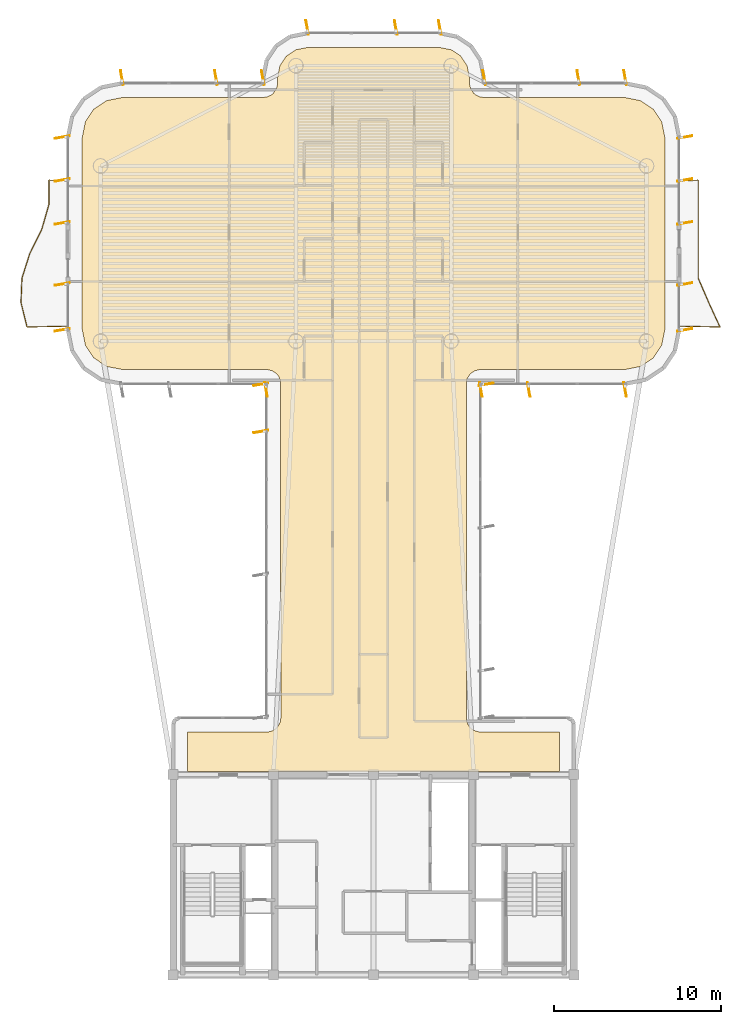
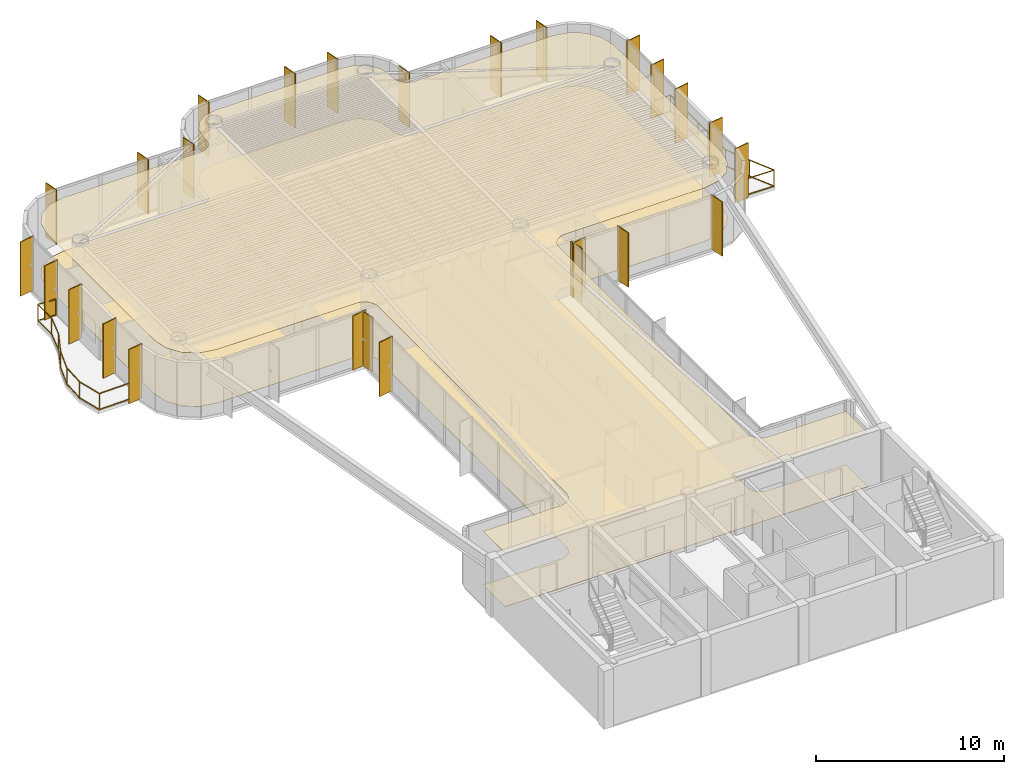
# One storey, part 16 of 16: 26 shading devices, 2 coverings, 2 railings.
"""IFC4 building model written with IfcOpenShell, lengths in metres."""

from ifc_helpers import new_model, si_unit, direction, frame, origin, origin_2d, place, context, subcontext, project, spatial, polyline, rectangle, outline, extrude, source, transform, mapped, material, layer, layer_set, material_profile, profile_set, type_object, element, save


model = new_model("IFC4")

# Units and contexts
model_context = context("Model", 3, precision=1e-05, world=origin(), true_north=direction((0.0, 1.0)))
body_context = subcontext(model_context, "Body", "Model", "MODEL_VIEW")
ifc_project = project(units=[si_unit("LENGTHUNIT", "METRE"), si_unit("AREAUNIT", "SQUARE_METRE"), si_unit("VOLUMEUNIT", "CUBIC_METRE"), si_unit("PLANEANGLEUNIT", "RADIAN"), si_unit("MASSUNIT", "GRAM", prefix="KILO")], contexts=[model_context])

# Site, building, storey
site_placement = place(None, origin())
site = spatial("IfcSite", under=ifc_project, at=site_placement, CompositionType="ELEMENT")
building_placement = place(site_placement, origin())
building = spatial("IfcBuilding", under=site, at=building_placement, Name="Brelvock Crest Care Tower", CompositionType="ELEMENT")
storey_placement = place(building_placement, frame((0.0, 0.0, 238.139892578125)))
storey = spatial("IfcBuildingStorey", under=building, at=storey_placement, Name="L60", CompositionType="ELEMENT", Elevation=238.139892578125)

# Coverings
ifc_material_1 = material(Name="Mineral Fibre Acoustic Ceiling Tile", Category="gypsum")
ifc_layer_1 = layer(ifc_material_1, 0.02490234375, Name="COV-CLG1")
ifc_layer_set_1 = layer_set([ifc_layer_1], Name="Mineral Fibre Acoustic Ceiling Tile")
covering_type_1 = type_object("IfcCoveringType", Name="COV-CLG1", PredefinedType="CEILING", material=ifc_layer_set_1)
covering_1_placement = place(storey_placement, frame((0.0, 0.0, 3.47509765625)))
element("IfcCovering", 1, at=covering_1_placement, inside=storey, type_object=covering_type_1, Name="L60 Acoustic Suspended Ceiling 1", PredefinedType="CEILING", context=body_context, shape_type="SweptSolid", body=[
    extrude(outline(polyline([(24.85009765625, 18.199951171875), (47.14990234375, 18.199951171875), (47.14990234375, 20.550048828125), (42.316650390625, 20.55419921875), (41.999267578125, 20.650390625), (41.799072265625, 20.799072265625), (41.650390625, 20.999267578125), (41.56640625, 21.234130859375), (41.55419921875, 41.4833984375), (41.61474609375, 41.725341796875), (41.799072265625, 42.0009765625), (42.07470703125, 42.185302734375), (42.316650390625, 42.245849609375), (51.016357421875, 42.25), (51.992919921875, 42.4443359375), (52.75, 42.9501953125), (53.255615234375, 43.70703125), (53.449951171875, 44.68359375), (53.449951171875, 56.1162109375), (53.255615234375, 57.093017578125), (52.75, 57.849853515625), (51.992919921875, 58.355712890625), (51.016357421875, 58.550048828125), (42.60009765625, 58.550048828125), (42.353271484375, 58.586669921875), (42.127685546875, 58.693359375), (41.9990234375, 58.799072265625), (41.814697265625, 59.07470703125), (41.754150390625, 59.316650390625), (41.75, 59.71630859375), (41.601318359375, 60.46337890625), (41.2255859375, 61.025634765625), (40.663330078125, 61.4013671875), (39.916259765625, 61.550048828125), (32.083740234375, 61.550048828125), (31.336669921875, 61.4013671875), (30.7744140625, 61.025634765625), (30.398681640625, 60.46337890625), (30.25, 59.71630859375), (30.245849609375, 59.316650390625), (30.185302734375, 59.07470703125), (30.0009765625, 58.799072265625), (29.872314453125, 58.693359375), (29.646728515625, 58.586669921875), (29.39990234375, 58.550048828125), (20.983642578125, 58.550048828125), (20.007080078125, 58.355712890625), (19.25, 57.849853515625), (18.744384765625, 57.093017578125), (18.550048828125, 56.1162109375), (18.550048828125, 44.68359375), (18.744384765625, 43.70703125), (19.25, 42.9501953125), (20.007080078125, 42.4443359375), (20.983642578125, 42.25), (29.683349609375, 42.245849609375), (29.92529296875, 42.185302734375), (30.200927734375, 42.0009765625), (30.349609375, 41.80078125), (30.43359375, 41.56591796875), (30.449951171875, 21.39990234375), (30.413330078125, 21.1533203125), (30.306640625, 20.927734375), (30.13916015625, 20.742919921875), (29.92529296875, 20.61474609375), (29.683349609375, 20.55419921875), (24.85009765625, 20.550048828125), (24.85009765625, 18.199951171875)])), origin(), (0.0, 0.0, 1.0), 0.02490234375),
])
ifc_material_2 = material(Name="Slip-Resistant Acoustic Vinyl Flooring", Category="finish")
ifc_layer_2 = layer(ifc_material_2, 0.014892578125, Name="COV-FLR1")
ifc_layer_set_2 = layer_set([ifc_layer_2], Name="Slip-Resistant Acoustic Vinyl Flooring")
covering_type_2 = type_object("IfcCoveringType", Name="COV-FLR1", PredefinedType="FLOORING", material=ifc_layer_set_2)
covering_2_placement = place(storey_placement, origin())
element("IfcCovering", 2, at=covering_2_placement, inside=storey, type_object=covering_type_2, Name="L60 Slip-Resistant Acoustic Flooring 1", PredefinedType="FLOORING", context=body_context, shape_type="SweptSolid", body=[
    extrude(outline(polyline([(24.85009765625, 18.199951171875), (47.14990234375, 18.199951171875), (47.14990234375, 20.550048828125), (42.316650390625, 20.55419921875), (41.999267578125, 20.650390625), (41.799072265625, 20.799072265625), (41.650390625, 20.999267578125), (41.56640625, 21.234130859375), (41.55419921875, 41.4833984375), (41.61474609375, 41.725341796875), (41.799072265625, 42.0009765625), (42.07470703125, 42.185302734375), (42.316650390625, 42.245849609375), (51.016357421875, 42.25), (51.992919921875, 42.4443359375), (52.75, 42.9501953125), (53.255615234375, 43.70703125), (53.449951171875, 44.68359375), (53.449951171875, 56.1162109375), (53.255615234375, 57.093017578125), (52.75, 57.849853515625), (51.992919921875, 58.355712890625), (51.016357421875, 58.550048828125), (42.60009765625, 58.550048828125), (42.353271484375, 58.586669921875), (42.127685546875, 58.693359375), (41.9990234375, 58.799072265625), (41.814697265625, 59.07470703125), (41.754150390625, 59.316650390625), (41.75, 59.71630859375), (41.601318359375, 60.46337890625), (41.2255859375, 61.025634765625), (40.663330078125, 61.4013671875), (39.916259765625, 61.550048828125), (32.083740234375, 61.550048828125), (31.336669921875, 61.4013671875), (30.7744140625, 61.025634765625), (30.398681640625, 60.46337890625), (30.25, 59.71630859375), (30.245849609375, 59.316650390625), (30.185302734375, 59.07470703125), (30.0009765625, 58.799072265625), (29.872314453125, 58.693359375), (29.646728515625, 58.586669921875), (29.39990234375, 58.550048828125), (20.983642578125, 58.550048828125), (20.007080078125, 58.355712890625), (19.25, 57.849853515625), (18.744384765625, 57.093017578125), (18.550048828125, 56.1162109375), (18.550048828125, 44.68359375), (18.744384765625, 43.70703125), (19.25, 42.9501953125), (20.007080078125, 42.4443359375), (20.983642578125, 42.25), (29.683349609375, 42.245849609375), (29.92529296875, 42.185302734375), (30.200927734375, 42.0009765625), (30.349609375, 41.80078125), (30.43359375, 41.56591796875), (30.449951171875, 21.39990234375), (30.413330078125, 21.1533203125), (30.306640625, 20.927734375), (30.13916015625, 20.742919921875), (29.92529296875, 20.61474609375), (29.683349609375, 20.55419921875), (24.85009765625, 20.550048828125), (24.85009765625, 18.199951171875)])), origin(), (0.0, 0.0, 1.0), 0.01513671875),
])

# Railings
ifc_material_3 = material(Name="Dark Glass Double Glazed Low-E", Category="glass")
ifc_layer_3 = layer(ifc_material_3, 0.06005859375, Name="RL-BAL1")
ifc_layer_set_3 = layer_set([ifc_layer_3], Name="Dark Glass Double Glazed Low-E")
railing_type = type_object("IfcRailingType", Name="RL-BAL1", PredefinedType="BALUSTRADE", material=ifc_layer_set_3)
railing_1_placement = place(storey_placement, frame((17.659912109375, 44.85009765625, 0.004150390625)))
element("IfcRailing", 3, at=railing_1_placement, inside=storey, type_object=railing_type, Name="L60 Safety Balustrade WB-W", PredefinedType="BALUSTRADE", context=body_context, shape_type="SweptSolid", body=[
    extrude(rectangle(XDim=0.048095703125, YDim=0.048095703125, at=origin_2d()), frame((-0.001953125, 0.0, 1.09619140625), z_axis=(-0.999783452903, -0.020809788592, 0.0), x_axis=(0.020809788592, -0.999783452903, 0.0)), (0.0, 0.0, 1.0), 2.401123046875),
    extrude(rectangle(XDim=0.048095703125, YDim=0.048095703125, at=origin_2d()), frame((-0.001953125, 0.0, 0.054931640625), z_axis=(-0.999783452903, -0.020809788592, 0.0), x_axis=(0.020809788592, -0.999783452903, 0.0)), (0.0, 0.0, 1.0), 2.401123046875),
    extrude(rectangle(XDim=0.048095703125, YDim=0.048095703125, at=origin_2d()), frame((-2.405029296875, -0.048095703125, 1.09619140625), z_axis=(-0.242117552355, 0.970246922614, 0.0), x_axis=(-0.970246922614, -0.242117552355, 0.0)), (0.0, 0.0, 1.0), 1.507568359375),
    extrude(rectangle(XDim=0.048095703125, YDim=0.048095703125, at=origin_2d()), frame((-2.405029296875, -0.048095703125, 0.054931640625), z_axis=(-0.242117552355, 0.970246922614, 0.0), x_axis=(-0.970246922614, -0.242117552355, 0.0)), (0.0, 0.0, 1.0), 1.507568359375),
    extrude(rectangle(XDim=0.048095703125, YDim=0.048095703125, at=origin_2d()), frame((-2.7705078125, 1.41845703125, 1.09619140625), z_axis=(0.041077151543, 0.999155977624, 0.0), x_axis=(-0.999155977624, 0.041077151543, 0.0)), (0.0, 0.0, 1.0), 1.464111328125),
    extrude(rectangle(XDim=0.048095703125, YDim=0.048095703125, at=origin_2d()), frame((-2.7705078125, 1.41845703125, 0.054931640625), z_axis=(0.041077151543, 0.999155977624, 0.0), x_axis=(-0.999155977624, 0.041077151543, 0.0)), (0.0, 0.0, 1.0), 1.464111328125),
    extrude(rectangle(XDim=0.048095703125, YDim=0.048095703125, at=origin_2d()), frame((-2.709716796875, 2.88525390625, 1.09619140625), z_axis=(0.303301869787, 0.952894525005, 0.0), x_axis=(-0.952894525005, 0.303301869787, 0.0)), (0.0, 0.0, 1.0), 1.53515625),
    extrude(rectangle(XDim=0.048095703125, YDim=0.048095703125, at=origin_2d()), frame((-2.709716796875, 2.88525390625, 0.054931640625), z_axis=(0.303301869787, 0.952894525005, 0.0), x_axis=(-0.952894525005, 0.303301869787, 0.0)), (0.0, 0.0, 1.0), 1.53515625),
    extrude(rectangle(XDim=0.048095703125, YDim=0.048095703125, at=origin_2d()), frame((-2.242431640625, 4.3515625, 1.09619140625), z_axis=(0.442070383243, 0.896980365593, 0.0), x_axis=(-0.896980365593, 0.442070383243, 0.0)), (0.0, 0.0, 1.0), 1.63134765625),
    extrude(rectangle(XDim=0.048095703125, YDim=0.048095703125, at=origin_2d()), frame((-2.242431640625, 4.3515625, 0.054931640625), z_axis=(0.442070383243, 0.896980365593, 0.0), x_axis=(-0.896980365593, 0.442070383243, 0.0)), (0.0, 0.0, 1.0), 1.63134765625),
    extrude(rectangle(XDim=0.048095703125, YDim=0.048095703125, at=origin_2d()), frame((-1.52001953125, 5.818603515625, 1.09619140625), z_axis=(0.275714312465, 0.961239625641, 0.0), x_axis=(-0.961239625641, 0.275714312465, 0.0)), (0.0, 0.0, 1.0), 1.521728515625),
    extrude(rectangle(XDim=0.048095703125, YDim=0.048095703125, at=origin_2d()), frame((-1.52001953125, 5.818603515625, 0.054931640625), z_axis=(0.275714312465, 0.961239625641, 0.0), x_axis=(-0.961239625641, 0.275714312465, 0.0)), (0.0, 0.0, 1.0), 1.521728515625),
    extrude(rectangle(XDim=0.048095703125, YDim=0.048095703125, at=origin_2d()), frame((-1.099853515625, 7.28515625, 1.09619140625), z_axis=(0.0, 1.0, 0.0), x_axis=(-1.0, 0.0, 0.0)), (0.0, 0.0, 1.0), 1.462890625),
    extrude(rectangle(XDim=0.048095703125, YDim=0.048095703125, at=origin_2d()), frame((-1.099853515625, 7.28515625, 0.054931640625), z_axis=(0.0, 1.0, 0.0), x_axis=(-1.0, 0.0, 0.0)), (0.0, 0.0, 1.0), 1.462890625),
    extrude(rectangle(XDim=0.048095703125, YDim=0.048095703125, at=origin_2d()), frame((-1.097900390625, 8.75, 1.09619140625), z_axis=(0.998966252902, -0.045457953795, 0.0), x_axis=(0.045457953795, 0.998966252902, 0.0)), (0.0, 0.0, 1.0), 1.096923828125),
    extrude(rectangle(XDim=0.048095703125, YDim=0.048095703125, at=origin_2d()), frame((-1.097900390625, 8.75, 0.054931640625), z_axis=(0.998966252902, -0.045457953795, 0.0), x_axis=(0.045457953795, 0.998966252902, 0.0)), (0.0, 0.0, 1.0), 1.096923828125),
    extrude(rectangle(XDim=0.0419921875, YDim=0.0419921875, at=origin_2d()), origin(), (0.0, 0.0, 1.0), 1.070068359375),
    extrude(rectangle(XDim=0.0419921875, YDim=0.0419921875, at=origin_2d()), frame((-2.404541015625, -0.050048828125, 0.0)), (0.0, 0.0, 1.0), 1.070068359375),
    extrude(rectangle(XDim=0.0419921875, YDim=0.0419921875, at=origin_2d()), frame((-2.7705078125, 1.41650390625, 0.0)), (0.0, 0.0, 1.0), 1.070068359375),
    extrude(rectangle(XDim=0.0419921875, YDim=0.0419921875, at=origin_2d()), frame((-2.710205078125, 2.88330078125, 0.0)), (0.0, 0.0, 1.0), 1.070068359375),
    extrude(rectangle(XDim=0.0419921875, YDim=0.0419921875, at=origin_2d()), frame((-2.243408203125, 4.349853515625, 0.0)), (0.0, 0.0, 1.0), 1.070068359375),
    extrude(rectangle(XDim=0.0419921875, YDim=0.0419921875, at=origin_2d()), frame((-1.5205078125, 5.816650390625, 0.0)), (0.0, 0.0, 1.0), 1.070068359375),
    extrude(rectangle(XDim=0.0419921875, YDim=0.0419921875, at=origin_2d()), frame((-1.099853515625, 7.283203125, 0.0)), (0.0, 0.0, 1.0), 1.070068359375),
    extrude(rectangle(XDim=0.0419921875, YDim=0.0419921875, at=origin_2d()), frame((-1.099853515625, 8.75, 0.0)), (0.0, 0.0, 1.0), 1.070068359375),
    extrude(rectangle(XDim=0.0419921875, YDim=0.0419921875, at=origin_2d()), frame((0.0, 8.699951171875, 0.0)), (0.0, 0.0, 1.0), 1.070068359375),
])
railing_2_placement = place(storey_placement, frame((54.340087890625, 44.85009765625, 0.004150390625)))
element("IfcRailing", 4, at=railing_2_placement, inside=storey, type_object=railing_type, Name="L60 Safety Balustrade WB-E", PredefinedType="BALUSTRADE", context=body_context, shape_type="SweptSolid", body=[
    extrude(rectangle(XDim=0.048095703125, YDim=0.048095703125, at=origin_2d()), frame((0.001953125, 0.0, 1.09619140625), z_axis=(0.999783452903, -0.020809788592, 0.0), x_axis=(0.020809788592, 0.999783452903, 0.0)), (0.0, 0.0, 1.0), 2.401123046875),
    extrude(rectangle(XDim=0.048095703125, YDim=0.048095703125, at=origin_2d()), frame((0.001953125, 0.0, 0.054931640625), z_axis=(0.999783452903, -0.020809788592, 0.0), x_axis=(0.020809788592, 0.999783452903, 0.0)), (0.0, 0.0, 1.0), 2.401123046875),
    extrude(rectangle(XDim=0.048095703125, YDim=0.048095703125, at=origin_2d()), frame((2.40380859375, -0.04833984375, 1.09619140625), z_axis=(-0.417503547282, 0.908675292944, 0.0), x_axis=(-0.908675292944, -0.417503547282, 0.0)), (0.0, 0.0, 1.0), 1.60986328125),
    extrude(rectangle(XDim=0.048095703125, YDim=0.048095703125, at=origin_2d()), frame((2.40380859375, -0.04833984375, 0.054931640625), z_axis=(-0.417503547282, 0.908675292944, 0.0), x_axis=(-0.908675292944, -0.417503547282, 0.0)), (0.0, 0.0, 1.0), 1.60986328125),
    extrude(rectangle(XDim=0.048095703125, YDim=0.048095703125, at=origin_2d()), frame((1.72998046875, 1.41845703125, 1.09619140625), z_axis=(-0.395100013248, 0.918638111299, 0.0), x_axis=(-0.918638111299, -0.395100013248, 0.0)), (0.0, 0.0, 1.0), 1.5927734375),
    extrude(rectangle(XDim=0.048095703125, YDim=0.048095703125, at=origin_2d()), frame((1.72998046875, 1.41845703125, 0.054931640625), z_axis=(-0.395100013248, 0.918638111299, 0.0), x_axis=(-0.918638111299, -0.395100013248, 0.0)), (0.0, 0.0, 1.0), 1.5927734375),
    extrude(rectangle(XDim=0.048095703125, YDim=0.048095703125, at=origin_2d()), frame((1.099853515625, 2.88525390625, 1.09619140625), z_axis=(0.0, 1.0, 0.0), x_axis=(-1.0, 0.0, 0.0)), (0.0, 0.0, 1.0), 5.86279296875),
    extrude(rectangle(XDim=0.048095703125, YDim=0.048095703125, at=origin_2d()), frame((1.099853515625, 2.88525390625, 0.054931640625), z_axis=(0.0, 1.0, 0.0), x_axis=(-1.0, 0.0, 0.0)), (0.0, 0.0, 1.0), 5.86279296875),
    extrude(rectangle(XDim=0.048095703125, YDim=0.048095703125, at=origin_2d()), frame((1.097900390625, 8.75, 1.09619140625), z_axis=(-0.998966252902, -0.045457953795, 0.0), x_axis=(0.045457953795, -0.998966252902, 0.0)), (0.0, 0.0, 1.0), 1.096923828125),
    extrude(rectangle(XDim=0.048095703125, YDim=0.048095703125, at=origin_2d()), frame((1.097900390625, 8.75, 0.054931640625), z_axis=(-0.998966252902, -0.045457953795, 0.0), x_axis=(0.045457953795, -0.998966252902, 0.0)), (0.0, 0.0, 1.0), 1.096923828125),
    extrude(rectangle(XDim=0.0419921875, YDim=0.0419921875, at=origin_2d()), origin(), (0.0, 0.0, 1.0), 1.070068359375),
    extrude(rectangle(XDim=0.0419921875, YDim=0.0419921875, at=origin_2d()), frame((2.404541015625, -0.050048828125, 0.0)), (0.0, 0.0, 1.0), 1.070068359375),
    extrude(rectangle(XDim=0.0419921875, YDim=0.0419921875, at=origin_2d()), frame((1.730712890625, 1.41650390625, 0.0)), (0.0, 0.0, 1.0), 1.070068359375),
    extrude(rectangle(XDim=0.0419921875, YDim=0.0419921875, at=origin_2d()), frame((1.099853515625, 2.88330078125, 0.0)), (0.0, 0.0, 1.0), 1.070068359375),
    extrude(rectangle(XDim=0.0419921875, YDim=0.0419921875, at=origin_2d()), frame((1.099853515625, 5.816650390625, 0.0)), (0.0, 0.0, 1.0), 1.070068359375),
    extrude(rectangle(XDim=0.0419921875, YDim=0.0419921875, at=origin_2d()), frame((1.099853515625, 8.75, 0.0)), (0.0, 0.0, 1.0), 1.070068359375),
    extrude(rectangle(XDim=0.0419921875, YDim=0.0419921875, at=origin_2d()), frame((0.0, 8.699951171875, 0.0)), (0.0, 0.0, 1.0), 1.070068359375),
])

# Shading devices
ifc_material_4 = material(Name="Aluminium 6063-T6", Category="aluminium")
ifc_material_profile = material_profile(ifc_material_4, rectangle(XDim=0.054931640625, YDim=0.89990234375, at=origin_2d()), Name="FIN55x900")
ifc_profile_set = profile_set([ifc_material_profile], Name="Aluminium 6063-T6")
shading_device_type = type_object("IfcShadingDeviceType", Name="SHD-FIN1", PredefinedType="USERDEFINED", material=ifc_profile_set)
shared_shape = source(origin(), body_context, "Body", "SweptSolid", [
    extrude(rectangle(XDim=0.054931640625, YDim=0.89990234375, at=origin_2d()), origin(), (0.0, 0.0, 1.0), 3.530029296875),
])
for number, where, z_axis, x_axis, name in (
    (5, (29.260009765625, 38.54296875, 0.0), (0.0, 0.0, 1.0), (-0.173648177667, 0.984807753012, 0.0), "L60 Vertical Sunshade Fin E11-07"),
    (6, (29.260009765625, 41.3701171875, 0.0), (0.0, 0.0, 1.0), (-0.173648177667, 0.984807753012, 0.0), "L60 Vertical Sunshade Fin E11-08"),
    (7, (29.570068359375, 41.06005859375, 0.0), (0.0, 0.0, 1.0), (-0.984807753012, -0.173648177667, 0.0), "L60 Vertical Sunshade Fin E12-01"),
    (8, (17.360107421875, 44.6298828125, 0.0), (0.0, 0.0, 1.0), (-0.173648177667, 0.984807753012, 0.0), "L60 Vertical Sunshade Fin E17A-01"),
    (9, (17.360107421875, 47.3701171875, 0.0), (0.0, 0.0, 1.0), (-0.173648177667, 0.984807753012, 0.0), "L60 Vertical Sunshade Fin E17A-02"),
    (10, (17.360107421875, 51.030029296875, 0.0), (0.0, 0.0, 1.0), (-0.173648177667, 0.984807753012, 0.0), "L60 Vertical Sunshade Fin E17B-01"),
    (11, (17.360107421875, 53.60009765625, 0.0), (0.0, 0.0, 1.0), (-0.173648177667, 0.984807753012, 0.0), "L60 Vertical Sunshade Fin E17B-02"),
    (12, (17.360107421875, 56.169921875, 0.0), (0.0, 0.0, 1.0), (-0.173648177667, 0.984807753012, 0.0), "L60 Vertical Sunshade Fin E17B-03"),
    (13, (20.929931640625, 59.739990234375, 0.0), (0.0, 0.0, 1.0), (0.984807753012, 0.173648177667, 0.0), "L60 Vertical Sunshade Fin E22-01"),
    (14, (26.566650390625, 59.739990234375, 0.0), (0.0, 0.0, 1.0), (0.984807753012, 0.173648177667, 0.0), "L60 Vertical Sunshade Fin E22-03"),
    (15, (29.3701171875, 59.739990234375, 0.0), (0.0, 0.0, 1.0), (0.984807753012, 0.173648177667, 0.0), "L60 Vertical Sunshade Fin E22-04"),
    (16, (32.030029296875, 62.739990234375, 0.0), (0.0, 0.0, 1.0), (0.984807753012, 0.173648177667, 0.0), "L60 Vertical Sunshade Fin E28-01"),
    (17, (37.333251953125, 62.739990234375, 0.0), (0.0, 0.0, 1.0), (0.984807753012, 0.173648177667, 0.0), "L60 Vertical Sunshade Fin E28-03"),
    (18, (39.969970703125, 62.739990234375, 0.0), (0.0, 0.0, 1.0), (0.984807753012, 0.173648177667, 0.0), "L60 Vertical Sunshade Fin E28-04"),
    (19, (42.6298828125, 59.739990234375, 0.0), (0.0, 0.0, 1.0), (0.984807753012, 0.173648177667, 0.0), "L60 Vertical Sunshade Fin E34-01"),
    (20, (48.2666015625, 59.739990234375, 0.0), (0.0, 0.0, 1.0), (0.984807753012, 0.173648177667, 0.0), "L60 Vertical Sunshade Fin E34-03"),
    (21, (51.070068359375, 59.739990234375, 0.0), (0.0, 0.0, 1.0), (0.984807753012, 0.173648177667, 0.0), "L60 Vertical Sunshade Fin E34-04"),
    (22, (54.639892578125, 56.169921875, 0.0), (0.0, 0.0, 1.0), (0.173648177667, -0.984807753012, 0.0), "L60 Vertical Sunshade Fin E39A-01"),
    (23, (54.639892578125, 53.60009765625, 0.0), (0.0, 0.0, 1.0), (0.173648177667, -0.984807753012, 0.0), "L60 Vertical Sunshade Fin E39A-02"),
    (24, (54.639892578125, 51.030029296875, 0.0), (0.0, 0.0, 1.0), (0.173648177667, -0.984807753012, 0.0), "L60 Vertical Sunshade Fin E39A-03"),
    (25, (54.639892578125, 47.3701171875, 0.0), (0.0, 0.0, 1.0), (0.173648177667, -0.984807753012, 0.0), "L60 Vertical Sunshade Fin E39B-01"),
    (26, (54.639892578125, 44.6298828125, 0.0), (0.0, 0.0, 1.0), (0.173648177667, -0.984807753012, 0.0), "L60 Vertical Sunshade Fin E39B-02"),
    (27, (51.070068359375, 41.06005859375, 0.0), (0.0, 0.0, 1.0), (-0.984807753012, -0.173648177667, 0.0), "L60 Vertical Sunshade Fin E44-01"),
    (28, (45.300048828125, 41.06005859375, 0.0), (0.0, 0.0, 1.0), (-0.984807753012, -0.173648177667, 0.0), "L60 Vertical Sunshade Fin E44-03"),
    (29, (42.429931640625, 41.06005859375, 0.0), (0.0, 0.0, 1.0), (-0.984807753012, -0.173648177667, 0.0), "L60 Vertical Sunshade Fin E44-04"),
    (30, (42.739990234375, 41.3701171875, 0.0), (0.0, 0.0, 1.0), (0.173648177667, -0.984807753012, 0.0), "L60 Vertical Sunshade Fin E45-01"),
):
    element("IfcShadingDevice", number, at=place(storey_placement, frame(where, z_axis=z_axis, x_axis=x_axis)), inside=storey, type_object=shading_device_type, Name=name, ObjectType="FIN", PredefinedType="USERDEFINED", context=body_context, shape_type="MappedRepresentation", body=[
        mapped(shared_shape, transform((0.0, 0.0, 0.0), x_axis=(1.0, 0.0, 0.0), y_axis=(0.0, 1.0, 0.0), z_axis=(0.0, 0.0, 1.0), scale=1.0)),
    ])

save(model, "model.ifc")
